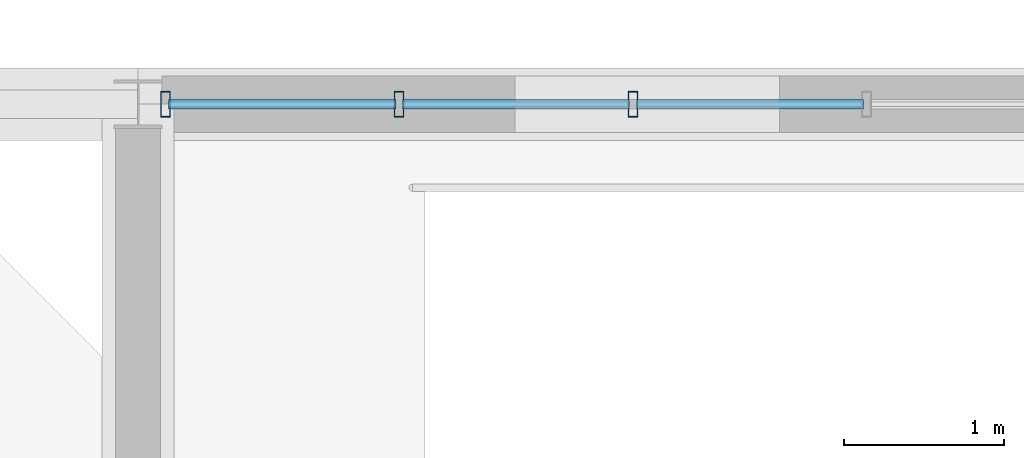
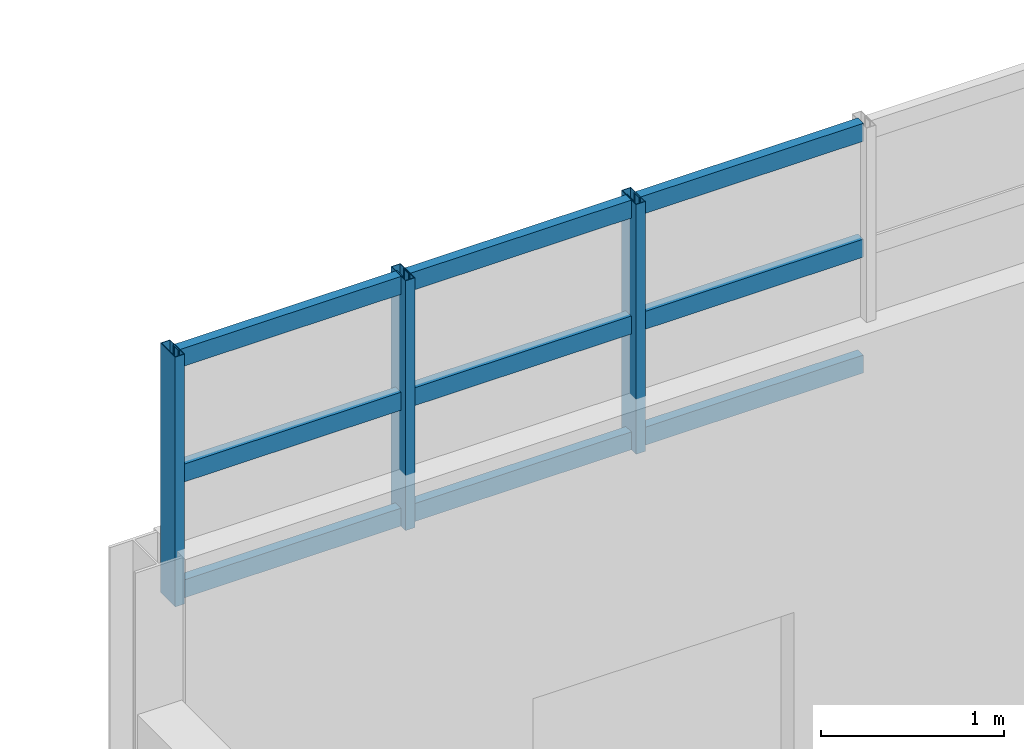
# One storey, part 10 of 36: 12 members, 1 element without a shape of its own.
"""IFC4 building model written with IfcOpenShell, lengths in metres."""

from ifc_helpers import new_model, si_unit, direction, frame, origin, origin_2d, place, context, subcontext, project, spatial, hollow_rectangle, extrude, material, layer, layer_set, material_profile, profile_set, type_object, element, aggregate, save


model = new_model("IFC4")

# Units and contexts
model_context = context("Model", 3, precision=1e-05, world=origin(), true_north=direction((0.0, 1.0)))
body_context = subcontext(model_context, "Body", "Model", "MODEL_VIEW")
ifc_project = project(units=[si_unit("LENGTHUNIT", "METRE"), si_unit("AREAUNIT", "SQUARE_METRE"), si_unit("VOLUMEUNIT", "CUBIC_METRE"), si_unit("PLANEANGLEUNIT", "RADIAN"), si_unit("MASSUNIT", "GRAM", prefix="KILO")], contexts=[model_context])

# Site, building, storey
site_placement = place(None, origin())
site = spatial("IfcSite", under=ifc_project, at=site_placement, CompositionType="ELEMENT")
building_placement = place(site_placement, origin())
building = spatial("IfcBuilding", under=site, at=building_placement, Name="Mersad Railyard Sports Hall", CompositionType="ELEMENT")
storey_placement = place(building_placement, frame((0.0, 0.0, 21.60009765625)))
storey = spatial("IfcBuildingStorey", under=building, at=storey_placement, Name="L05", CompositionType="ELEMENT", Elevation=21.60009765625)

# Curtain wall, members
ifc_material = material(Name="Aluminium 6063-T6", Category="aluminium")
ifc_layer = layer(ifc_material, 0.159912109375)
ifc_layer_set = layer_set([ifc_layer], Name="Aluminium 6063-T6")
curtain_wall_type = type_object("IfcCurtainWallType", Name="ARC-CW-CW49", PredefinedType="USERDEFINED", material=ifc_layer_set)
curtain_wall_placement = place(storey_placement, origin())
curtain_wall = element("IfcCurtainWall", 1, at=curtain_wall_placement, inside=storey, type_object=curtain_wall_type, Name="Curtain wall CW49-0129", ObjectType="CURTAIN WALL", PredefinedType="USERDEFINED")
ifc_material_profile_1 = material_profile(ifc_material, hollow_rectangle(XDim=0.06005859375, YDim=0.159912109375, WallThickness=0.00390625, at=origin_2d()), Name="AL MULLION 60x160x4")
ifc_profile_set_1 = profile_set([ifc_material_profile_1], Name="Aluminium 6063-T6")
member_type_1 = type_object("IfcMemberType", Name="ARC-CW-MUL01", PredefinedType="MULLION", material=ifc_profile_set_1)
member_1_placement = place(storey_placement, frame((67.169921875, 115.0, 3.829833984375), z_axis=(0.0, 0.0, 1.0), x_axis=(1.0, 0.0, 0.0)))
member_1 = element("IfcMember", 2, at=member_1_placement, type_object=member_type_1, Name="CW49 Mullion 1", PredefinedType="MULLION", context=body_context, shape_type="SweptSolid", body=[
    extrude(hollow_rectangle(XDim=0.06005859375, YDim=0.159912109375, WallThickness=0.00390625, at=origin_2d()), origin(), (0.0, 0.0, 1.0), 1.670166015625),
])
member_2_placement = place(storey_placement, frame((68.62744140625, 115.0, 3.829833984375), z_axis=(0.0, 0.0, 1.0), x_axis=(1.0, 0.0, 0.0)))
member_2 = element("IfcMember", 3, at=member_2_placement, type_object=member_type_1, Name="CW49 Mullion 2", PredefinedType="MULLION", context=body_context, shape_type="SweptSolid", body=[
    extrude(hollow_rectangle(XDim=0.06005859375, YDim=0.159912109375, WallThickness=0.00390625, at=origin_2d()), origin(), (0.0, 0.0, 1.0), 1.670166015625),
])
member_3_placement = place(storey_placement, frame((70.0849609375, 115.0, 3.829833984375), z_axis=(0.0, 0.0, 1.0), x_axis=(1.0, 0.0, 0.0)))
member_3 = element("IfcMember", 4, at=member_3_placement, type_object=member_type_1, Name="CW49 Mullion 3", PredefinedType="MULLION", context=body_context, shape_type="SweptSolid", body=[
    extrude(hollow_rectangle(XDim=0.06005859375, YDim=0.159912109375, WallThickness=0.00390625, at=origin_2d()), origin(), (0.0, 0.0, 1.0), 1.670166015625),
])
ifc_material_profile_2 = material_profile(ifc_material, hollow_rectangle(XDim=0.06005859375, YDim=0.1201171875, WallThickness=0.00390625, at=origin_2d()), Name="AL TRANSOM 60x120x4")
ifc_profile_set_2 = profile_set([ifc_material_profile_2], Name="Aluminium 6063-T6")
member_type_2 = type_object("IfcMemberType", Name="ARC-CW-TRN01", PredefinedType="USERDEFINED", material=ifc_profile_set_2)
member_4_placement = place(storey_placement, frame((67.18994140625, 115.0, 3.889892578125), z_axis=(1.0, 0.0, 0.0), x_axis=(0.0, 1.0, 0.0)))
member_4 = element("IfcMember", 5, at=member_4_placement, type_object=member_type_2, Name="CW49 Transom 1-1", ObjectType="TRANSOM", PredefinedType="USERDEFINED", context=body_context, shape_type="SweptSolid", body=[
    extrude(hollow_rectangle(XDim=0.06005859375, YDim=0.1201171875, WallThickness=0.00390625, at=origin_2d()), origin(), (0.0, 0.0, 1.0), 1.41748046875),
])
member_5_placement = place(storey_placement, frame((68.6474609375, 115.0, 3.889892578125), z_axis=(1.0, 0.0, 0.0), x_axis=(0.0, 1.0, 0.0)))
member_5 = element("IfcMember", 6, at=member_5_placement, type_object=member_type_2, Name="CW49 Transom 1-2", ObjectType="TRANSOM", PredefinedType="USERDEFINED", context=body_context, shape_type="SweptSolid", body=[
    extrude(hollow_rectangle(XDim=0.06005859375, YDim=0.1201171875, WallThickness=0.00390625, at=origin_2d()), origin(), (0.0, 0.0, 1.0), 1.41748046875),
])
member_6_placement = place(storey_placement, frame((70.10498046875, 115.0, 3.889892578125), z_axis=(1.0, 0.0, 0.0), x_axis=(0.0, 1.0, 0.0)))
member_6 = element("IfcMember", 7, at=member_6_placement, type_object=member_type_2, Name="CW49 Transom 1-3", ObjectType="TRANSOM", PredefinedType="USERDEFINED", context=body_context, shape_type="SweptSolid", body=[
    extrude(hollow_rectangle(XDim=0.06005859375, YDim=0.1201171875, WallThickness=0.00390625, at=origin_2d()), origin(), (0.0, 0.0, 1.0), 1.41748046875),
])
member_7_placement = place(storey_placement, frame((67.18994140625, 115.0, 4.664794921875), z_axis=(1.0, 0.0, 0.0), x_axis=(0.0, 1.0, 0.0)))
member_7 = element("IfcMember", 8, at=member_7_placement, type_object=member_type_2, Name="CW49 Transom 2-1", ObjectType="TRANSOM", PredefinedType="USERDEFINED", context=body_context, shape_type="SweptSolid", body=[
    extrude(hollow_rectangle(XDim=0.06005859375, YDim=0.1201171875, WallThickness=0.00390625, at=origin_2d()), origin(), (0.0, 0.0, 1.0), 1.41748046875),
])
member_8_placement = place(storey_placement, frame((68.6474609375, 115.0, 4.664794921875), z_axis=(1.0, 0.0, 0.0), x_axis=(0.0, 1.0, 0.0)))
member_8 = element("IfcMember", 9, at=member_8_placement, type_object=member_type_2, Name="CW49 Transom 2-2", ObjectType="TRANSOM", PredefinedType="USERDEFINED", context=body_context, shape_type="SweptSolid", body=[
    extrude(hollow_rectangle(XDim=0.06005859375, YDim=0.1201171875, WallThickness=0.00390625, at=origin_2d()), origin(), (0.0, 0.0, 1.0), 1.41748046875),
])
member_9_placement = place(storey_placement, frame((70.10498046875, 115.0, 4.664794921875), z_axis=(1.0, 0.0, 0.0), x_axis=(0.0, 1.0, 0.0)))
member_9 = element("IfcMember", 10, at=member_9_placement, type_object=member_type_2, Name="CW49 Transom 2-3", ObjectType="TRANSOM", PredefinedType="USERDEFINED", context=body_context, shape_type="SweptSolid", body=[
    extrude(hollow_rectangle(XDim=0.06005859375, YDim=0.1201171875, WallThickness=0.00390625, at=origin_2d()), origin(), (0.0, 0.0, 1.0), 1.41748046875),
])
member_10_placement = place(storey_placement, frame((67.18994140625, 115.0, 5.43994140625), z_axis=(1.0, 0.0, 0.0), x_axis=(0.0, 1.0, 0.0)))
member_10 = element("IfcMember", 11, at=member_10_placement, type_object=member_type_2, Name="CW49 Transom 3-1", ObjectType="TRANSOM", PredefinedType="USERDEFINED", context=body_context, shape_type="SweptSolid", body=[
    extrude(hollow_rectangle(XDim=0.06005859375, YDim=0.1201171875, WallThickness=0.00390625, at=origin_2d()), origin(), (0.0, 0.0, 1.0), 1.41748046875),
])
member_11_placement = place(storey_placement, frame((68.6474609375, 115.0, 5.43994140625), z_axis=(1.0, 0.0, 0.0), x_axis=(0.0, 1.0, 0.0)))
member_11 = element("IfcMember", 12, at=member_11_placement, type_object=member_type_2, Name="CW49 Transom 3-2", ObjectType="TRANSOM", PredefinedType="USERDEFINED", context=body_context, shape_type="SweptSolid", body=[
    extrude(hollow_rectangle(XDim=0.06005859375, YDim=0.1201171875, WallThickness=0.00390625, at=origin_2d()), origin(), (0.0, 0.0, 1.0), 1.41748046875),
])
member_12_placement = place(storey_placement, frame((70.10498046875, 115.0, 5.43994140625), z_axis=(1.0, 0.0, 0.0), x_axis=(0.0, 1.0, 0.0)))
member_12 = element("IfcMember", 13, at=member_12_placement, type_object=member_type_2, Name="CW49 Transom 3-3", ObjectType="TRANSOM", PredefinedType="USERDEFINED", context=body_context, shape_type="SweptSolid", body=[
    extrude(hollow_rectangle(XDim=0.06005859375, YDim=0.1201171875, WallThickness=0.00390625, at=origin_2d()), origin(), (0.0, 0.0, 1.0), 1.41748046875),
])
aggregate(curtain_wall, [member_1, member_2, member_3, member_4, member_5, member_6, member_7, member_8, member_9, member_10, member_11, member_12])

save(model, "model.ifc")
